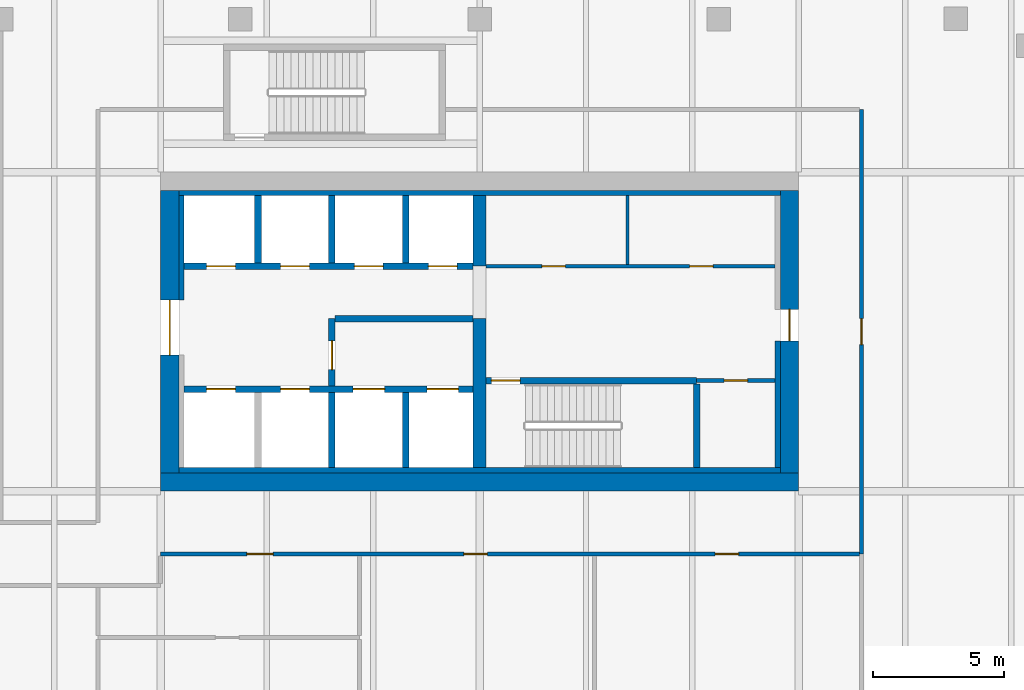
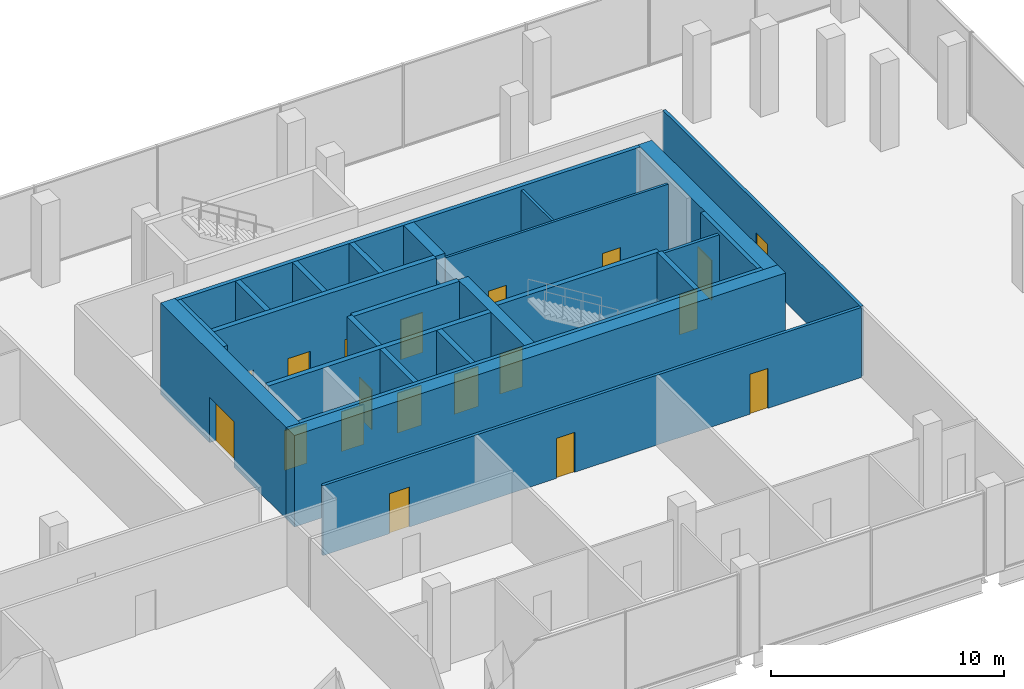
# One storey, part 28 of 33: 25 walls, 19 doors, 19 openings.
"""IFC4 building model written with IfcOpenShell, lengths in metres."""

from ifc_helpers import new_model, si_unit, direction, frame, frame_2d, origin, place, context, subcontext, project, spatial, rectangle, extrude, source, transform, mapped, material, layer, layer_set, type_object, element, fill, save


model = new_model("IFC4")

# Units and contexts
model_context = context("Model", 3, precision=1e-05, world=origin(), true_north=direction((0.0, 1.0)))
body_context = subcontext(model_context, "Body", "Model", "MODEL_VIEW")
ifc_project = project(units=[si_unit("LENGTHUNIT", "METRE"), si_unit("AREAUNIT", "SQUARE_METRE"), si_unit("VOLUMEUNIT", "CUBIC_METRE"), si_unit("PLANEANGLEUNIT", "RADIAN"), si_unit("MASSUNIT", "GRAM", prefix="KILO")], contexts=[model_context])

# Site, building, storey
site_placement = place(None, origin())
site = spatial("IfcSite", under=ifc_project, at=site_placement, CompositionType="ELEMENT")
building_placement = place(site_placement, origin())
building = spatial("IfcBuilding", under=site, at=building_placement, Name="Tessera Gate Towers", CompositionType="ELEMENT")
storey_placement = place(building_placement, frame((0.0, 0.0, 12.0)))
storey = spatial("IfcBuildingStorey", under=building, at=storey_placement, Name="L02", CompositionType="ELEMENT", Elevation=12.0)

# Wall, openings, doors
ifc_material_1 = material(Name="Concrete C40/50", Category="concrete")
ifc_layer_1 = layer(ifc_material_1, 0.25)
ifc_layer_set_1 = layer_set([ifc_layer_1], Name="CORE ENCLOSURE WALL 250")
wall_type_1 = type_object("IfcWallType", Name="CORE ENCLOSURE WALL 250", PredefinedType="SOLIDWALL", material=ifc_layer_set_1)
wall_1_placement = place(storey_placement, frame((98.5, 40.5, 0.0), z_axis=(0.0, 0.0, 1.0), x_axis=(1.0, 0.0, 0.0)))
wall_1 = element("IfcWall", 1, at=wall_1_placement, inside=storey, type_object=wall_type_1, Name="L02 shaft and stair enclosure wall", PredefinedType="SOLIDWALL", context=body_context, shape_type="SweptSolid", body=[
    extrude(rectangle(XDim=11.050048828125, YDim=0.25, at=frame_2d((5.52490234375, 0.0))), origin(), (0.0, 0.0, 1.0), 4.800048828125),
])
shared_shape_1 = source(origin(), body_context, "Body", "SweptSolid", [
    extrude(rectangle(XDim=1.10009765625, YDim=2.10009765625, at=frame_2d((0.550048828125, 1.050048828125))), frame((0.0, 0.135009765625, 0.0), z_axis=(0.0, -1.0, 0.0), x_axis=(1.0, 0.0, 0.0)), (0.0, 0.0, 1.0), 0.27001953125),
])
opening_1_placement = place(wall_1_placement, frame((0.862548828125, 0.0, 0.0)))
opening_1 = element("IfcOpeningElement", 2, at=opening_1_placement, cuts=wall_1, Name="Opening LD-TL1", PredefinedType="OPENING", context=body_context, shape_type="MappedRepresentation", body=[
    mapped(shared_shape_1, transform((0.0, 0.0, 0.0), scale=1.0)),
])
opening_2_placement = place(wall_1_placement, frame((3.6875, 0.0, 0.0)))
opening_2 = element("IfcOpeningElement", 3, at=opening_2_placement, cuts=wall_1, Name="Opening LD-TL2", PredefinedType="OPENING", context=body_context, shape_type="MappedRepresentation", body=[
    mapped(shared_shape_1, transform((0.0, 0.0, 0.0), scale=1.0)),
])
shared_shape_2 = source(origin(), body_context, "Body", "SweptSolid", [
    extrude(rectangle(XDim=1.199951171875, YDim=2.10009765625, at=frame_2d((0.60009765625, 1.050048828125))), frame((0.0, 0.135009765625, 0.0), z_axis=(0.0, -1.0, 0.0), x_axis=(1.0, 0.0, 0.0)), (0.0, 0.0, 1.0), 0.27001953125),
])
opening_3_placement = place(wall_1_placement, frame((6.46240234375, 0.0, 0.0)))
opening_3 = element("IfcOpeningElement", 4, at=opening_3_placement, cuts=wall_1, Name="Opening LD-FF3", PredefinedType="OPENING", context=body_context, shape_type="MappedRepresentation", body=[
    mapped(shared_shape_2, transform((0.0, 0.0, 0.0), scale=1.0)),
])
opening_4_placement = place(wall_1_placement, frame((9.28759765625, 0.0, 0.0)))
opening_4 = element("IfcOpeningElement", 5, at=opening_4_placement, cuts=wall_1, Name="Opening LD-FF4", PredefinedType="OPENING", context=body_context, shape_type="MappedRepresentation", body=[
    mapped(shared_shape_2, transform((0.0, 0.0, 0.0), scale=1.0)),
])
ifc_material_2 = material(Name="Stainless steel", Category="steel")
door_type_1 = type_object("IfcDoorType", Name="CORE DOOR LD1200 1200x2100", OperationType="DOUBLE_DOOR_SLIDING", PredefinedType="DOOR", material=ifc_material_2)
shared_shape_3 = source(origin(), body_context, "Body", "SweptSolid", [
    extrude(rectangle(XDim=1.199951171875, YDim=2.10009765625, at=frame_2d((0.60009765625, 1.050048828125))), frame((0.0, 0.02490234375, 0.0), z_axis=(0.0, -1.0, 0.0), x_axis=(1.0, 0.0, 0.0)), (0.0, 0.0, 1.0), 0.050048828125),
])
door_1_placement = place(opening_3_placement, origin())
door_1 = element("IfcDoor", 6, at=door_1_placement, inside=storey, type_object=door_type_1, Name="Landing door FF3 L02", OperationType="DOUBLE_DOOR_SLIDING", OverallHeight=2.10009765625, OverallWidth=1.199951171875, PredefinedType="DOOR", context=body_context, shape_type="MappedRepresentation", body=[
    mapped(shared_shape_3, transform((0.0, 0.0, 0.0), scale=1.0)),
])
fill(opening_3, door_1)
door_2_placement = place(opening_4_placement, origin())
door_2 = element("IfcDoor", 7, at=door_2_placement, inside=storey, type_object=door_type_1, Name="Landing door FF4 L02", OperationType="DOUBLE_DOOR_SLIDING", OverallHeight=2.10009765625, OverallWidth=1.199951171875, PredefinedType="DOOR", context=body_context, shape_type="MappedRepresentation", body=[
    mapped(shared_shape_3, transform((0.0, 0.0, 0.0), scale=1.0)),
])
fill(opening_4, door_2)
ifc_material_3 = material(Name="Stainless steel", Category="steel")
door_type_2 = type_object("IfcDoorType", Name="CORE DOOR LD 1100x2100", OperationType="DOUBLE_DOOR_SLIDING", PredefinedType="DOOR", material=ifc_material_3)
shared_shape_4 = source(origin(), body_context, "Body", "SweptSolid", [
    extrude(rectangle(XDim=1.10009765625, YDim=2.10009765625, at=frame_2d((0.550048828125, 1.050048828125))), frame((0.0, 0.02490234375, 0.0), z_axis=(0.0, -1.0, 0.0), x_axis=(1.0, 0.0, 0.0)), (0.0, 0.0, 1.0), 0.050048828125),
])
door_3_placement = place(opening_1_placement, origin())
door_3 = element("IfcDoor", 8, at=door_3_placement, inside=storey, type_object=door_type_2, Name="Landing door TL1 L02", OperationType="DOUBLE_DOOR_SLIDING", OverallHeight=2.10009765625, OverallWidth=1.10009765625, PredefinedType="DOOR", context=body_context, shape_type="MappedRepresentation", body=[
    mapped(shared_shape_4, transform((0.0, 0.0, 0.0), scale=1.0)),
])
fill(opening_1, door_3)
door_4_placement = place(opening_2_placement, origin())
door_4 = element("IfcDoor", 9, at=door_4_placement, inside=storey, type_object=door_type_2, Name="Landing door TL2 L02", OperationType="DOUBLE_DOOR_SLIDING", OverallHeight=2.10009765625, OverallWidth=1.10009765625, PredefinedType="DOOR", context=body_context, shape_type="MappedRepresentation", body=[
    mapped(shared_shape_4, transform((0.0, 0.0, 0.0), scale=1.0)),
])
fill(opening_2, door_4)

wall_2_placement = place(storey_placement, frame((109.550048828125, 45.199951171875, 0.0), z_axis=(0.0, 0.0, 1.0), x_axis=(-1.0, 0.0, 0.0)))
wall_2 = element("IfcWall", 10, at=wall_2_placement, inside=storey, type_object=wall_type_1, Name="L02 shaft and stair enclosure wall", PredefinedType="SOLIDWALL", context=body_context, shape_type="SweptSolid", body=[
    extrude(rectangle(XDim=11.050048828125, YDim=0.25, at=frame_2d((5.52490234375, 0.0))), origin(), (0.0, 0.0, 1.0), 4.800048828125),
])
opening_5_placement = place(wall_2_placement, frame((9.08740234375, 0.0, 0.0)))
opening_5 = element("IfcOpeningElement", 11, at=opening_5_placement, cuts=wall_2, Name="Opening LD-TL3", PredefinedType="OPENING", context=body_context, shape_type="MappedRepresentation", body=[
    mapped(shared_shape_1, transform((0.0, 0.0, 0.0), scale=1.0)),
])
opening_6_placement = place(wall_2_placement, frame((6.262451171875, 0.0, 0.0)))
opening_6 = element("IfcOpeningElement", 12, at=opening_6_placement, cuts=wall_2, Name="Opening LD-TL4", PredefinedType="OPENING", context=body_context, shape_type="MappedRepresentation", body=[
    mapped(shared_shape_1, transform((0.0, 0.0, 0.0), scale=1.0)),
])
opening_7_placement = place(wall_2_placement, frame((3.4375, 0.0, 0.0)))
opening_7 = element("IfcOpeningElement", 13, at=opening_7_placement, cuts=wall_2, Name="Opening LD-TL5", PredefinedType="OPENING", context=body_context, shape_type="MappedRepresentation", body=[
    mapped(shared_shape_1, transform((0.0, 0.0, 0.0), scale=1.0)),
])
opening_8_placement = place(wall_2_placement, frame((0.612548828125, 0.0, 0.0)))
opening_8 = element("IfcOpeningElement", 14, at=opening_8_placement, cuts=wall_2, Name="Opening LD-TL6", PredefinedType="OPENING", context=body_context, shape_type="MappedRepresentation", body=[
    mapped(shared_shape_1, transform((0.0, 0.0, 0.0), scale=1.0)),
])
door_5_placement = place(opening_5_placement, origin())
door_5 = element("IfcDoor", 15, at=door_5_placement, inside=storey, type_object=door_type_2, Name="Landing door TL3 L02", OperationType="DOUBLE_DOOR_SLIDING", OverallHeight=2.10009765625, OverallWidth=1.10009765625, PredefinedType="DOOR", context=body_context, shape_type="MappedRepresentation", body=[
    mapped(shared_shape_4, transform((0.0, 0.0, 0.0), scale=1.0)),
])
fill(opening_5, door_5)
door_6_placement = place(opening_6_placement, origin())
door_6 = element("IfcDoor", 16, at=door_6_placement, inside=storey, type_object=door_type_2, Name="Landing door TL4 L02", OperationType="DOUBLE_DOOR_SLIDING", OverallHeight=2.10009765625, OverallWidth=1.10009765625, PredefinedType="DOOR", context=body_context, shape_type="MappedRepresentation", body=[
    mapped(shared_shape_4, transform((0.0, 0.0, 0.0), scale=1.0)),
])
fill(opening_6, door_6)
door_7_placement = place(opening_7_placement, origin())
door_7 = element("IfcDoor", 17, at=door_7_placement, inside=storey, type_object=door_type_2, Name="Landing door TL5 L02", OperationType="DOUBLE_DOOR_SLIDING", OverallHeight=2.10009765625, OverallWidth=1.10009765625, PredefinedType="DOOR", context=body_context, shape_type="MappedRepresentation", body=[
    mapped(shared_shape_4, transform((0.0, 0.0, 0.0), scale=1.0)),
])
fill(opening_7, door_7)
door_8_placement = place(opening_8_placement, origin())
door_8 = element("IfcDoor", 18, at=door_8_placement, inside=storey, type_object=door_type_2, Name="Landing door TL6 L02", OperationType="DOUBLE_DOOR_SLIDING", OverallHeight=2.10009765625, OverallWidth=1.10009765625, PredefinedType="DOOR", context=body_context, shape_type="MappedRepresentation", body=[
    mapped(shared_shape_4, transform((0.0, 0.0, 0.0), scale=1.0)),
])
fill(opening_8, door_8)

# Wall, opening, door
wall_3_placement = place(storey_placement, frame((118.10009765625, 40.824951171875, 0.0), z_axis=(0.0, 0.0, 1.0), x_axis=(-1.0, 0.0, 0.0)))
wall_3 = element("IfcWall", 19, at=wall_3_placement, inside=storey, type_object=wall_type_1, Name="L02 shaft and stair enclosure wall", PredefinedType="SOLIDWALL", context=body_context, shape_type="SweptSolid", body=[
    extrude(rectangle(XDim=8.050048828125, YDim=0.25, at=frame_2d((4.02490234375, 0.0))), origin(), (0.0, 0.0, 1.0), 4.800048828125),
])
opening_9_placement = place(wall_3_placement, frame((6.75, 0.0, 0.0)))
opening_9 = element("IfcOpeningElement", 20, at=opening_9_placement, cuts=wall_3, Name="Opening SD-ST6-1", PredefinedType="OPENING", context=body_context, shape_type="MappedRepresentation", body=[
    mapped(shared_shape_1, transform((0.0, 0.0, 0.0), scale=1.0)),
])
ifc_material_4 = material(Name="Hollow steel fire door", Category="steel")
door_type_3 = type_object("IfcDoorType", Name="CORE DOOR SD1100 1100x2100", OperationType="NOTDEFINED", PredefinedType="DOOR", material=ifc_material_4)
door_9_placement = place(opening_9_placement, origin())
door_9 = element("IfcDoor", 21, at=door_9_placement, inside=storey, type_object=door_type_3, Name="Stair door", OperationType="SINGLE_SWING_RIGHT", OverallHeight=2.10009765625, OverallWidth=1.10009765625, PredefinedType="DOOR", context=body_context, shape_type="MappedRepresentation", body=[
    mapped(shared_shape_4, transform((0.0, 0.0, 0.0), scale=1.0)),
])
fill(opening_9, door_9)

# Wall
wall_4_placement = place(storey_placement, frame((104.14990234375, 37.5, 0.0), z_axis=(0.0, 0.0, 1.0), x_axis=(0.0, 1.0, 0.0)))
element("IfcWall", 22, at=wall_4_placement, inside=storey, type_object=wall_type_1, Name="L02 shaft and stair enclosure wall", PredefinedType="SOLIDWALL", context=body_context, shape_type="SweptSolid", body=[
    extrude(rectangle(XDim=2.875, YDim=0.25, at=frame_2d((1.4375, 0.0))), origin(), (0.0, 0.0, 1.0), 4.800048828125),
])

# Wall, opening, door
wall_5_placement = place(storey_placement, frame((104.14990234375, 43.199951171875, 0.0), z_axis=(0.0, 0.0, 1.0), x_axis=(0.0, -1.0, 0.0)))
wall_5 = element("IfcWall", 23, at=wall_5_placement, inside=storey, type_object=wall_type_1, Name="L02 shaft and stair enclosure wall", PredefinedType="SOLIDWALL", context=body_context, shape_type="SweptSolid", body=[
    extrude(rectangle(XDim=2.574951171875, YDim=0.25, at=frame_2d((1.28759765625, 0.0))), origin(), (0.0, 0.0, 1.0), 4.800048828125),
])
opening_10_placement = place(wall_5_placement, frame((0.85009765625, 0.0, 0.0)))
opening_10 = element("IfcOpeningElement", 24, at=opening_10_placement, cuts=wall_5, Name="Opening FD-T2-04-03", PredefinedType="OPENING", context=body_context, shape_type="MappedRepresentation", body=[
    mapped(shared_shape_1, transform((0.0, 0.0, 0.0), scale=1.0)),
])
ifc_material_5 = material(Name="Hollow steel fire door", Category="steel")
door_type_4 = type_object("IfcDoorType", Name="CORE DOOR FD 1100x2100", OperationType="NOTDEFINED", PredefinedType="DOOR", material=ifc_material_5)
door_10_placement = place(opening_10_placement, origin())
door_10 = element("IfcDoor", 25, at=door_10_placement, inside=storey, type_object=door_type_4, Name="Fire-fighting lobby door", OperationType="SINGLE_SWING_RIGHT", OverallHeight=2.10009765625, OverallWidth=1.10009765625, PredefinedType="DOOR", context=body_context, shape_type="MappedRepresentation", body=[
    mapped(shared_shape_4, transform((0.0, 0.0, 0.0), scale=1.0)),
])
fill(opening_10, door_10)

# Walls
wall_6_placement = place(storey_placement, frame((104.27490234375, 43.199951171875, 0.0), z_axis=(0.0, 0.0, 1.0), x_axis=(1.0, 0.0, 0.0)))
element("IfcWall", 26, at=wall_6_placement, inside=storey, type_object=wall_type_1, Name="L02 shaft and stair enclosure wall", PredefinedType="SOLIDWALL", context=body_context, shape_type="SweptSolid", body=[
    extrude(rectangle(XDim=5.275146484375, YDim=0.25, at=frame_2d((2.6376953125, 0.0))), origin(), (0.0, 0.0, 1.0), 4.800048828125),
])
wall_7_placement = place(storey_placement, frame((118.10009765625, 37.5, 0.0), z_axis=(0.0, 0.0, 1.0), x_axis=(0.0, 1.0, 0.0)))
element("IfcWall", 27, at=wall_7_placement, inside=storey, type_object=wall_type_1, Name="L02 shaft and stair enclosure wall", PredefinedType="SOLIDWALL", context=body_context, shape_type="SweptSolid", body=[
    extrude(rectangle(XDim=3.199951171875, YDim=0.25, at=frame_2d((1.60009765625, 0.0))), origin(), (0.0, 0.0, 1.0), 4.800048828125),
])
wall_8_placement = place(storey_placement, frame((106.97509765625, 37.5, 0.0), z_axis=(0.0, 0.0, 1.0), x_axis=(0.0, 1.0, 0.0)))
element("IfcWall", 28, at=wall_8_placement, inside=storey, type_object=wall_type_1, Name="L02 shaft and stair enclosure wall", PredefinedType="SOLIDWALL", context=body_context, shape_type="SweptSolid", body=[
    extrude(rectangle(XDim=2.875, YDim=0.25, at=frame_2d((1.4375, 0.0))), origin(), (0.0, 0.0, 1.0), 4.800048828125),
])
for number, where, z_axis, x_axis, name in (
    (29, (101.324951171875, 45.324951171875, 0.0), (0.0, 0.0, 1.0), (0.0, 1.0, 0.0), "L02 shaft and stair enclosure wall"),
    (30, (104.14990234375, 45.324951171875, 0.0), (0.0, 0.0, 1.0), (0.0, 1.0, 0.0), "L02 shaft and stair enclosure wall"),
    (31, (106.97509765625, 45.324951171875, 0.0), (0.0, 0.0, 1.0), (0.0, 1.0, 0.0), "L02 shaft and stair enclosure wall"),
):
    element("IfcWall", number, at=place(storey_placement, frame(where, z_axis=z_axis, x_axis=x_axis)), inside=storey, type_object=wall_type_1, Name=name, PredefinedType="SOLIDWALL", context=body_context, shape_type="SweptSolid", body=[
        extrude(rectangle(XDim=2.574951171875, YDim=0.25, at=frame_2d((1.28759765625, 0.0))), origin(), (0.0, 0.0, 1.0), 4.800048828125),
    ])

# Wall, openings, doors
ifc_material_6 = material(Name="Gypsum board on steel studs", Category="steel")
ifc_layer_2 = layer(ifc_material_6, 0.1201171875)
ifc_layer_set_2 = layer_set([ifc_layer_2], Name="CORE PARTITION 120")
wall_type_2 = type_object("IfcWallType", Name="CORE PARTITION 120", PredefinedType="PARTITIONING", material=ifc_layer_set_2)
wall_9_placement = place(storey_placement, frame((110.050048828125, 45.199951171875, 0.0), z_axis=(0.0, 0.0, 1.0), x_axis=(1.0, 0.0, 0.0)))
wall_9 = element("IfcWall", 32, at=wall_9_placement, inside=storey, type_object=wall_type_2, Name="L02 core partition", PredefinedType="PARTITIONING", context=body_context, shape_type="SweptSolid", body=[
    extrude(rectangle(XDim=11.050048828125, YDim=0.1201171875, at=frame_2d((5.52490234375, 0.0))), origin(), (0.0, 0.0, 1.0), 4.60009765625),
])
shared_shape_5 = source(origin(), body_context, "Body", "SweptSolid", [
    extrude(rectangle(XDim=0.89990234375, YDim=2.10009765625, at=frame_2d((0.449951171875, 1.050048828125))), frame((0.0, 0.070068359375, 0.0), z_axis=(0.0, -1.0, 0.0), x_axis=(1.0, 0.0, 0.0)), (0.0, 0.0, 1.0), 0.14013671875),
])
opening_11_placement = place(wall_9_placement, frame((2.125, 0.0, 0.0)))
opening_11 = element("IfcOpeningElement", 33, at=opening_11_placement, cuts=wall_9, Name="Opening RD-T2-04-04", PredefinedType="OPENING", context=body_context, shape_type="MappedRepresentation", body=[
    mapped(shared_shape_5, transform((0.0, 0.0, 0.0), scale=1.0)),
])
opening_12_placement = place(wall_9_placement, frame((7.77490234375, 0.0, 0.0)))
opening_12 = element("IfcOpeningElement", 34, at=opening_12_placement, cuts=wall_9, Name="Opening RD-T2-04-05", PredefinedType="OPENING", context=body_context, shape_type="MappedRepresentation", body=[
    mapped(shared_shape_5, transform((0.0, 0.0, 0.0), scale=1.0)),
])
ifc_material_7 = material(Name="Hollow steel fire door", Category="steel")
door_type_5 = type_object("IfcDoorType", Name="CORE DOOR RD 900x2100", OperationType="NOTDEFINED", PredefinedType="DOOR", material=ifc_material_7)
shared_shape_6 = source(origin(), body_context, "Body", "SweptSolid", [
    extrude(rectangle(XDim=0.89990234375, YDim=2.10009765625, at=frame_2d((0.449951171875, 1.050048828125))), frame((0.0, 0.02490234375, 0.0), z_axis=(0.0, -1.0, 0.0), x_axis=(1.0, 0.0, 0.0)), (0.0, 0.0, 1.0), 0.050048828125),
])
door_11_placement = place(opening_11_placement, origin())
door_11 = element("IfcDoor", 35, at=door_11_placement, inside=storey, type_object=door_type_5, Name="Core room door", OperationType="SINGLE_SWING_LEFT", OverallHeight=2.10009765625, OverallWidth=0.89990234375, PredefinedType="DOOR", context=body_context, shape_type="MappedRepresentation", body=[
    mapped(shared_shape_6, transform((0.0, 0.0, 0.0), scale=1.0)),
])
fill(opening_11, door_11)
door_12_placement = place(opening_12_placement, origin())
door_12 = element("IfcDoor", 36, at=door_12_placement, inside=storey, type_object=door_type_5, Name="Core room door", OperationType="SINGLE_SWING_RIGHT", OverallHeight=2.10009765625, OverallWidth=0.89990234375, PredefinedType="DOOR", context=body_context, shape_type="MappedRepresentation", body=[
    mapped(shared_shape_6, transform((0.0, 0.0, 0.0), scale=1.0)),
])
fill(opening_12, door_12)

# Walls
wall_10_placement = place(storey_placement, frame((115.449951171875, 45.260009765625, 0.0), z_axis=(0.0, 0.0, 1.0), x_axis=(0.0, 1.0, 0.0)))
element("IfcWall", 37, at=wall_10_placement, inside=storey, type_object=wall_type_2, Name="L02 core partition", PredefinedType="PARTITIONING", context=body_context, shape_type="SweptSolid", body=[
    extrude(rectangle(XDim=2.639892578125, YDim=0.1201171875, at=frame_2d((1.31982421875, 0.0))), origin(), (0.0, 0.0, 1.0), 4.60009765625),
])
ifc_material_8 = material(Name="Concrete C60/75", Category="concrete")
ifc_layer_3 = layer(ifc_material_8, 0.699951171875)
ifc_layer_set_3 = layer_set([ifc_layer_3], Name="CORE SHEAR WALL 700 C60/75")
wall_type_3 = type_object("IfcWallType", Name="CORE SHEAR WALL 700 C60/75", PredefinedType="SHEAR", material=ifc_layer_set_3)
wall_11_placement = place(storey_placement, frame((122.0, 36.949951171875, 0.0), z_axis=(0.0, 0.0, 1.0), x_axis=(-1.0, 0.0, 0.0)))
element("IfcWall", 38, at=wall_11_placement, inside=storey, type_object=wall_type_3, Name="Core wall S L02", PredefinedType="SHEAR", context=body_context, shape_type="SweptSolid", body=[
    extrude(rectangle(XDim=24.39990234375, YDim=0.699951171875, at=frame_2d((12.199951171875, 0.0))), origin(), (0.0, 0.0, 1.0), 4.800048828125),
])

# Wall, opening, door
wall_12_placement = place(storey_placement, frame((97.949951171875, 37.300048828125, 0.0), z_axis=(0.0, 0.0, 1.0), x_axis=(0.0, 1.0, 0.0)))
wall_12 = element("IfcWall", 39, at=wall_12_placement, inside=storey, type_object=wall_type_3, Name="Core wall W L02", PredefinedType="SHEAR", context=body_context, shape_type="SweptSolid", body=[
    extrude(rectangle(XDim=10.800048828125, YDim=0.699951171875, at=frame_2d((5.39990234375, 0.0))), origin(), (0.0, 0.0, 1.0), 4.800048828125),
])
shared_shape_7 = source(origin(), body_context, "Body", "SweptSolid", [
    extrude(rectangle(XDim=2.10009765625, YDim=2.39990234375, at=frame_2d((1.050048828125, 1.199951171875))), frame((0.0, 0.35986328125, 0.0), z_axis=(0.0, -1.0, 0.0), x_axis=(1.0, 0.0, 0.0)), (0.0, 0.0, 1.0), 0.719970703125),
])
opening_13_placement = place(wall_12_placement, frame((4.5, 0.0, 0.0)))
opening_13 = element("IfcOpeningElement", 40, at=opening_13_placement, cuts=wall_12, Name="Opening DD-T2-04-01", PredefinedType="OPENING", context=body_context, shape_type="MappedRepresentation", body=[
    mapped(shared_shape_7, transform((0.0, 0.0, 0.0), scale=1.0)),
])
ifc_material_9 = material(Name="Hollow steel fire door", Category="steel")
door_type_6 = type_object("IfcDoorType", Name="CORE DOOR DD 2100x2400", OperationType="NOTDEFINED", PredefinedType="DOOR", material=ifc_material_9)
shared_shape_8 = source(origin(), body_context, "Body", "SweptSolid", [
    extrude(rectangle(XDim=2.10009765625, YDim=2.39990234375, at=frame_2d((1.050048828125, 1.199951171875))), frame((0.0, 0.02490234375, 0.0), z_axis=(0.0, -1.0, 0.0), x_axis=(1.0, 0.0, 0.0)), (0.0, 0.0, 1.0), 0.050048828125),
])
door_13_placement = place(opening_13_placement, origin())
door_13 = element("IfcDoor", 41, at=door_13_placement, inside=storey, type_object=door_type_6, Name="Core entrance door", OperationType="DOUBLE_DOOR_SINGLE_SWING", OverallHeight=2.39990234375, OverallWidth=2.10009765625, PredefinedType="DOOR", context=body_context, shape_type="MappedRepresentation", body=[
    mapped(shared_shape_8, transform((0.0, 0.0, 0.0), scale=1.0)),
])
fill(opening_13, door_13)

wall_13_placement = place(storey_placement, frame((121.64990234375, 48.10009765625, 0.0), z_axis=(0.0, 0.0, 1.0), x_axis=(0.0, -1.0, 0.0)))
wall_13 = element("IfcWall", 42, at=wall_13_placement, inside=storey, type_object=wall_type_3, Name="Core wall E L02", PredefinedType="SHEAR", context=body_context, shape_type="SweptSolid", body=[
    extrude(rectangle(XDim=10.800048828125, YDim=0.699951171875, at=frame_2d((5.39990234375, 0.0))), origin(), (0.0, 0.0, 1.0), 4.800048828125),
])
shared_shape_9 = source(origin(), body_context, "Body", "SweptSolid", [
    extrude(rectangle(XDim=1.199951171875, YDim=2.10009765625, at=frame_2d((0.60009765625, 1.050048828125))), frame((0.0, 0.35986328125, 0.0), z_axis=(0.0, -1.0, 0.0), x_axis=(1.0, 0.0, 0.0)), (0.0, 0.0, 1.0), 0.719970703125),
])
opening_14_placement = place(wall_13_placement, frame((4.550048828125, 0.0, 0.0)))
opening_14 = element("IfcOpeningElement", 43, at=opening_14_placement, cuts=wall_13, Name="Opening ED-T2-04-02", PredefinedType="OPENING", context=body_context, shape_type="MappedRepresentation", body=[
    mapped(shared_shape_9, transform((0.0, 0.0, 0.0), scale=1.0)),
])
ifc_material_10 = material(Name="Hollow steel fire door", Category="steel")
door_type_7 = type_object("IfcDoorType", Name="CORE DOOR ED 1200x2100", OperationType="NOTDEFINED", PredefinedType="DOOR", material=ifc_material_10)
door_14_placement = place(opening_14_placement, origin())
door_14 = element("IfcDoor", 44, at=door_14_placement, inside=storey, type_object=door_type_7, Name="Core exit door", OperationType="SINGLE_SWING_LEFT", OverallHeight=2.10009765625, OverallWidth=1.199951171875, PredefinedType="DOOR", context=body_context, shape_type="MappedRepresentation", body=[
    mapped(shared_shape_3, transform((0.0, 0.0, 0.0), scale=1.0)),
])
fill(opening_14, door_14)

# Walls
ifc_material_11 = material(Name="Concrete C60/75", Category="concrete")
ifc_layer_4 = layer(ifc_material_11, 0.5)
ifc_layer_set_4 = layer_set([ifc_layer_4], Name="CORE SPINE WALL 500 C60/75")
wall_type_4 = type_object("IfcWallType", Name="CORE SPINE WALL 500 C60/75", PredefinedType="SHEAR", material=ifc_layer_set_4)
wall_14_placement = place(storey_placement, frame((109.800048828125, 37.5, 0.0), z_axis=(0.0, 0.0, 1.0), x_axis=(0.0, 1.0, 0.0)))
element("IfcWall", 45, at=wall_14_placement, inside=storey, type_object=wall_type_4, Name="Core wall spine L02", PredefinedType="SHEAR", context=body_context, shape_type="SweptSolid", body=[
    extrude(rectangle(XDim=5.699951171875, YDim=0.5, at=frame_2d((2.85009765625, 0.0))), origin(), (0.0, 0.0, 1.0), 4.800048828125),
])
wall_15_placement = place(storey_placement, frame((109.800048828125, 45.199951171875, 0.0), z_axis=(0.0, 0.0, 1.0), x_axis=(0.0, 1.0, 0.0)))
element("IfcWall", 46, at=wall_15_placement, inside=storey, type_object=wall_type_4, Name="Core wall spine L02", PredefinedType="SHEAR", context=body_context, shape_type="SweptSolid", body=[
    extrude(rectangle(XDim=2.699951171875, YDim=0.5, at=frame_2d((1.35009765625, 0.0))), origin(), (0.0, 0.0, 1.0), 4.800048828125),
])
ifc_material_12 = material(Name="Concrete C60/75", Category="concrete")
ifc_layer_5 = layer(ifc_material_12, 0.199951171875)
ifc_layer_set_5 = layer_set([ifc_layer_5], Name="CORE WALL THICKENING 200")
wall_type_5 = type_object("IfcWallType", Name="CORE WALL THICKENING 200", PredefinedType="SOLIDWALL", material=ifc_layer_set_5)
for number, where, z_axis, x_axis, name in (
    (47, (98.300048828125, 37.39990234375, 0.0), (0.0, 0.0, 1.0), (1.0, 0.0, 0.0), "Core wall thickening S L02"),
    (48, (98.300048828125, 48.0, 0.0), (0.0, 0.0, 1.0), (1.0, 0.0, 0.0), "Core wall thickening N L02"),
):
    element("IfcWall", number, at=place(storey_placement, frame(where, z_axis=z_axis, x_axis=x_axis)), inside=storey, type_object=wall_type_5, Name=name, PredefinedType="SOLIDWALL", context=body_context, shape_type="SweptSolid", body=[
        extrude(rectangle(XDim=23.0, YDim=0.199951171875, at=frame_2d((11.5, 0.0))), origin(), (0.0, 0.0, 1.0), 4.800048828125),
    ])
wall_16_placement = place(storey_placement, frame((98.39990234375, 43.89990234375, 0.0), z_axis=(0.0, 0.0, 1.0), x_axis=(0.0, 1.0, 0.0)))
element("IfcWall", 49, at=wall_16_placement, inside=storey, type_object=wall_type_5, Name="Core wall thickening W L02", PredefinedType="SOLIDWALL", context=body_context, shape_type="SweptSolid", body=[
    extrude(rectangle(XDim=4.0, YDim=0.199951171875, at=frame_2d((2.0, 0.0))), origin(), (0.0, 0.0, 1.0), 4.800048828125),
])
wall_17_placement = place(storey_placement, frame((121.199951171875, 37.5, 0.0), z_axis=(0.0, 0.0, 1.0), x_axis=(0.0, 1.0, 0.0)))
element("IfcWall", 50, at=wall_17_placement, inside=storey, type_object=wall_type_5, Name="Core wall thickening E L02", PredefinedType="SOLIDWALL", context=body_context, shape_type="SweptSolid", body=[
    extrude(rectangle(XDim=4.85009765625, YDim=0.199951171875, at=frame_2d((2.425048828125, 0.0))), origin(), (0.0, 0.0, 1.0), 4.800048828125),
])

# Wall, openings, doors
ifc_material_13 = material(Name="Gypsum board on steel studs, mineral wool", Category="steel")
ifc_layer_6 = layer(ifc_material_13, 0.14990234375)
ifc_layer_set_6 = layer_set([ifc_layer_6], Name="CORRIDOR WALL 150")
wall_type_6 = type_object("IfcWallType", Name="CORRIDOR WALL 150", PredefinedType="PARTITIONING", material=ifc_layer_set_6)
wall_18_placement = place(storey_placement, frame((124.323974609375, 34.199951171875, 0.0), z_axis=(0.0, 0.0, 1.0), x_axis=(-1.0, 0.0, 0.0)))
wall_18 = element("IfcWall", 51, at=wall_18_placement, inside=storey, type_object=wall_type_6, Name="PODIUM-L02-PW-071", PredefinedType="PARTITIONING", context=body_context, shape_type="SweptSolid", body=[
    extrude(rectangle(XDim=26.723876953125, YDim=0.14990234375, at=frame_2d((13.36181640625, 0.0))), origin(), (0.0, 0.0, 1.0), 3.672119140625),
])
shared_shape_10 = source(origin(), body_context, "Body", "SweptSolid", [
    extrude(rectangle(XDim=1.0, YDim=2.10009765625, at=frame_2d((0.5, 1.050048828125))), frame((0.0, 0.0849609375, 0.0), z_axis=(0.0, -1.0, 0.0), x_axis=(1.0, 0.0, 0.0)), (0.0, 0.0, 1.0), 0.169921875),
])
opening_15_placement = place(wall_18_placement, frame((22.424072265625, 0.0, 0.0)))
opening_15 = element("IfcOpeningElement", 52, at=opening_15_placement, cuts=wall_18, Name="Opening D2100FD60-P03-02", PredefinedType="OPENING", context=body_context, shape_type="MappedRepresentation", body=[
    mapped(shared_shape_10, transform((0.0, 0.0, 0.0), scale=1.0)),
])
shared_shape_11 = source(origin(), body_context, "Body", "SweptSolid", [
    extrude(rectangle(XDim=0.89990234375, YDim=2.10009765625, at=frame_2d((0.449951171875, 1.050048828125))), frame((0.0, 0.0849609375, 0.0), z_axis=(0.0, -1.0, 0.0), x_axis=(1.0, 0.0, 0.0)), (0.0, 0.0, 1.0), 0.169921875),
])
opening_16_placement = place(wall_18_placement, frame((14.22412109375, 0.0, 0.0)))
opening_16 = element("IfcOpeningElement", 53, at=opening_16_placement, cuts=wall_18, Name="Opening D890FD60-P03-03", PredefinedType="OPENING", context=body_context, shape_type="MappedRepresentation", body=[
    mapped(shared_shape_11, transform((0.0, 0.0, 0.0), scale=1.0)),
])
opening_17_placement = place(wall_18_placement, frame((4.6240234375, 0.0, 0.0)))
opening_17 = element("IfcOpeningElement", 54, at=opening_17_placement, cuts=wall_18, Name="Opening D890FD60-P03-06", PredefinedType="OPENING", context=body_context, shape_type="MappedRepresentation", body=[
    mapped(shared_shape_11, transform((0.0, 0.0, 0.0), scale=1.0)),
])
ifc_material_14 = material(Name="Timber door leaf in steel frame", Category="steel")
door_type_8 = type_object("IfcDoorType", Name="CORRIDOR DOOR 900 FD60", OperationType="NOTDEFINED", PredefinedType="DOOR", material=ifc_material_14)
door_15_placement = place(opening_16_placement, origin())
door_15 = element("IfcDoor", 55, at=door_15_placement, inside=storey, type_object=door_type_8, Name="PODIUM-L02-PD-038", OperationType="SINGLE_SWING_RIGHT", OverallHeight=2.10009765625, OverallWidth=0.89990234375, PredefinedType="DOOR", context=body_context, shape_type="MappedRepresentation", body=[
    mapped(shared_shape_6, transform((0.0, 0.0, 0.0), scale=1.0)),
])
fill(opening_16, door_15)
door_16_placement = place(opening_17_placement, origin())
door_16 = element("IfcDoor", 56, at=door_16_placement, inside=storey, type_object=door_type_8, Name="PODIUM-L02-PD-053", OperationType="SINGLE_SWING_RIGHT", OverallHeight=2.10009765625, OverallWidth=0.89990234375, PredefinedType="DOOR", context=body_context, shape_type="MappedRepresentation", body=[
    mapped(shared_shape_6, transform((0.0, 0.0, 0.0), scale=1.0)),
])
fill(opening_17, door_16)
ifc_material_15 = material(Name="Timber door leaf in steel frame", Category="steel")
door_type_9 = type_object("IfcDoorType", Name="TENANCY ENTRANCE DOOR 1000 FD60", OperationType="NOTDEFINED", PredefinedType="DOOR", material=ifc_material_15)
shared_shape_12 = source(origin(), body_context, "Body", "SweptSolid", [
    extrude(rectangle(XDim=1.0, YDim=2.10009765625, at=frame_2d((0.5, 1.050048828125))), frame((0.0, 0.02490234375, 0.0), z_axis=(0.0, -1.0, 0.0), x_axis=(1.0, 0.0, 0.0)), (0.0, 0.0, 1.0), 0.050048828125),
])
door_17_placement = place(opening_15_placement, origin())
door_17 = element("IfcDoor", 57, at=door_17_placement, inside=storey, type_object=door_type_9, Name="PODIUM-L02-PD-033", OperationType="SINGLE_SWING_RIGHT", OverallHeight=2.10009765625, OverallWidth=1.0, PredefinedType="DOOR", context=body_context, shape_type="MappedRepresentation", body=[
    mapped(shared_shape_12, transform((0.0, 0.0, 0.0), scale=1.0)),
])
fill(opening_15, door_17)

# Wall, opening, door
wall_19_placement = place(storey_placement, frame((124.39990234375, 51.199951171875, 0.0), z_axis=(0.0, 0.0, 1.0), x_axis=(0.0, -1.0, 0.0)))
wall_19 = element("IfcWall", 58, at=wall_19_placement, inside=storey, type_object=wall_type_6, Name="PODIUM-L02-PW-072", PredefinedType="PARTITIONING", context=body_context, shape_type="SweptSolid", body=[
    extrude(rectangle(XDim=17.0, YDim=0.14990234375, at=frame_2d((8.5, 0.0))), origin(), (0.0, 0.0, 1.0), 3.672119140625),
])
opening_18_placement = place(wall_19_placement, frame((8.0, 0.0, 0.0)))
opening_18 = element("IfcOpeningElement", 59, at=opening_18_placement, cuts=wall_19, Name="Opening D2100FD60-P03-10", PredefinedType="OPENING", context=body_context, shape_type="MappedRepresentation", body=[
    mapped(shared_shape_10, transform((0.0, 0.0, 0.0), scale=1.0)),
])
door_18_placement = place(opening_18_placement, origin())
door_18 = element("IfcDoor", 60, at=door_18_placement, inside=storey, type_object=door_type_9, Name="PODIUM-L02-PD-060", OperationType="SINGLE_SWING_RIGHT", OverallHeight=2.10009765625, OverallWidth=1.0, PredefinedType="DOOR", context=body_context, shape_type="MappedRepresentation", body=[
    mapped(shared_shape_12, transform((0.0, 0.0, 0.0), scale=1.0)),
])
fill(opening_18, door_18)

ifc_material_16 = material(Name="Gypsum board on steel studs", Category="steel")
ifc_layer_7 = layer(ifc_material_16, 0.14990234375)
ifc_layer_set_7 = layer_set([ifc_layer_7], Name="SERVICE ROOM WALL 150")
wall_type_7 = type_object("IfcWallType", Name="SERVICE ROOM WALL 150", PredefinedType="PARTITIONING", material=ifc_layer_set_7)
wall_20_placement = place(storey_placement, frame((121.10009765625, 40.824951171875, 0.0), z_axis=(0.0, 0.0, 1.0), x_axis=(-1.0, 0.0, 0.0)))
wall_20 = element("IfcWall", 61, at=wall_20_placement, inside=storey, type_object=wall_type_7, Name="L02 service room wall", PredefinedType="PARTITIONING", context=body_context, shape_type="SweptSolid", body=[
    extrude(rectangle(XDim=3.0, YDim=0.14990234375, at=frame_2d((1.5, 0.0))), origin(), (0.0, 0.0, 1.0), 4.60009765625),
])
opening_19_placement = place(wall_20_placement, frame((1.050048828125, 0.0, 0.0)))
opening_19 = element("IfcOpeningElement", 62, at=opening_19_placement, cuts=wall_20, Name="Opening RD-T2-04-06", PredefinedType="OPENING", context=body_context, shape_type="MappedRepresentation", body=[
    mapped(shared_shape_11, transform((0.0, 0.0, 0.0), scale=1.0)),
])
door_19_placement = place(opening_19_placement, origin())
door_19 = element("IfcDoor", 63, at=door_19_placement, inside=storey, type_object=door_type_5, Name="Core room door", OperationType="SINGLE_SWING_RIGHT", OverallHeight=2.10009765625, OverallWidth=0.89990234375, PredefinedType="DOOR", context=body_context, shape_type="MappedRepresentation", body=[
    mapped(shared_shape_6, transform((0.0, 0.0, 0.0), scale=1.0)),
])
fill(opening_19, door_19)

save(model, "model.ifc")
